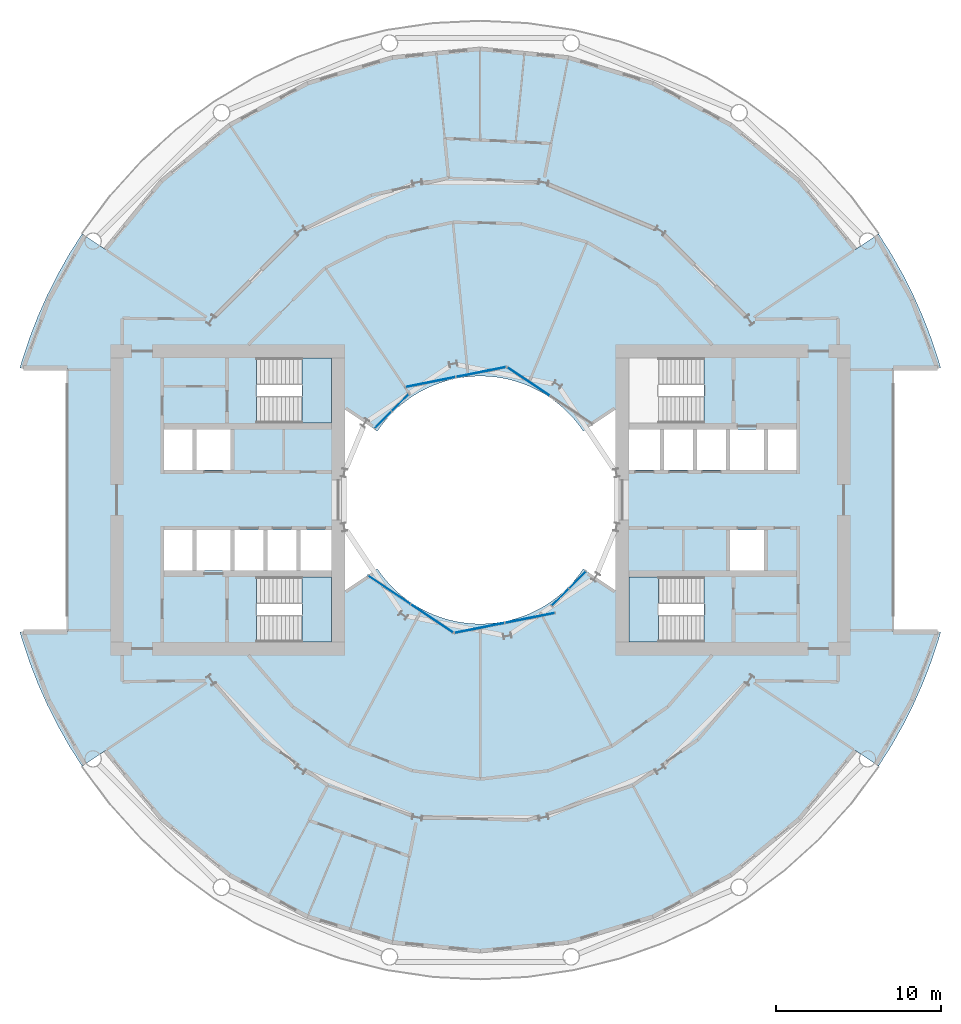
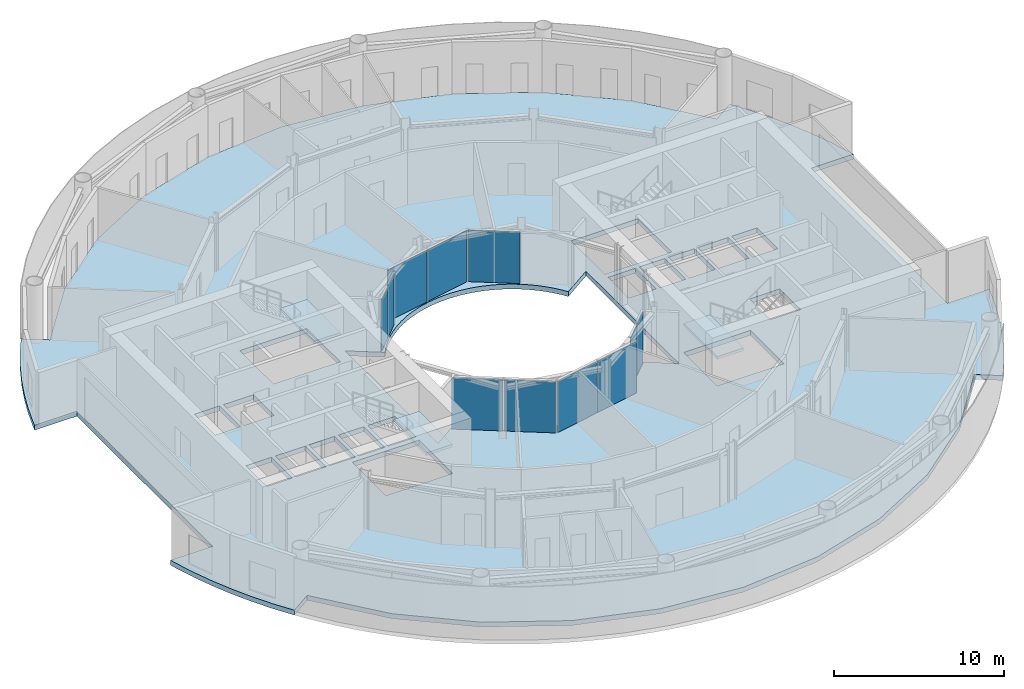
# One storey, part 9 of 19: 11 plates, 4 slabs, 9 elements without a shape of their own.
"""IFC4 building model written with IfcOpenShell, lengths in metres."""

from ifc_helpers import new_model, si_unit, direction, frame, origin, origin_2d, place, context, subcontext, project, spatial, polyline, rectangle, outline, extrude, material, layer, layer_set, type_object, element, aggregate, save


model = new_model("IFC4")

# Units and contexts
model_context = context("Model", 3, precision=1e-05, world=origin(), true_north=direction((0.0, 1.0)))
body_context = subcontext(model_context, "Body", "Model", "MODEL_VIEW")
ifc_project = project(units=[si_unit("LENGTHUNIT", "METRE"), si_unit("AREAUNIT", "SQUARE_METRE"), si_unit("VOLUMEUNIT", "CUBIC_METRE"), si_unit("PLANEANGLEUNIT", "RADIAN"), si_unit("MASSUNIT", "GRAM", prefix="KILO")], contexts=[model_context])

# Site, building, storey
site_placement = place(None, origin())
site = spatial("IfcSite", under=ifc_project, at=site_placement, CompositionType="ELEMENT")
building_placement = place(site_placement, origin())
building = spatial("IfcBuilding", under=site, at=building_placement, Name="Maasbend Ring Residences", CompositionType="ELEMENT")
storey_placement = place(building_placement, frame((0.0, 0.0, 53.300048828125)))
storey = spatial("IfcBuildingStorey", under=building, at=storey_placement, Name="L15", CompositionType="ELEMENT", Elevation=53.300048828125)

# Stair, slab
ifc_material_1 = material(Name="Concrete C40/50", Category="concrete")
stair_type = type_object("IfcStairType", Name="CORE STAIR 24 RISERS", PredefinedType="HALF_TURN_STAIR", material=ifc_material_1)
stair_1_placement = place(storey_placement, origin())
stair_1 = element("IfcStair", 1, at=stair_1_placement, inside=storey, type_object=stair_type, Name="L15 Exit stair ST-E2", PredefinedType="HALF_TURN_STAIR")
ifc_material_2 = material(Name="Concrete C40/50", Category="concrete")
ifc_layer_1 = layer(ifc_material_2, 0.199951171875)
ifc_layer_set_1 = layer_set([ifc_layer_1], Name="Concrete C40/50")
slab_type_1 = type_object("IfcSlabType", Name="CORE STAIR LANDING 200", PredefinedType="LANDING", material=ifc_layer_set_1)
slab_1_placement = place(storey_placement, frame((0.0, 0.0, 1.89990234375)))
slab_1 = element("IfcSlab", 2, at=slab_1_placement, type_object=slab_type_1, Name="ST-E2 landing 1", PredefinedType="LANDING", context=body_context, shape_type="SweptSolid", body=[
    extrude(outline(polyline([(10.800048828125, -4.64990234375), (9.0, -4.64990234375), (9.0, -8.60009765625), (10.800048828125, -8.60009765625), (10.800048828125, -4.64990234375)])), origin(), (0.0, 0.0, 1.0), 0.199951171875),
])
aggregate(stair_1, [slab_1])

stair_2_placement = place(storey_placement, origin())
stair_2 = element("IfcStair", 3, at=stair_2_placement, inside=storey, type_object=stair_type, Name="L15 Exit stair ST-W1", PredefinedType="HALF_TURN_STAIR")
slab_2_placement = place(storey_placement, frame((0.0, 0.0, 1.89990234375)))
slab_2 = element("IfcSlab", 4, at=slab_2_placement, type_object=slab_type_1, Name="ST-W1 landing 1", PredefinedType="LANDING", context=body_context, shape_type="SweptSolid", body=[
    extrude(outline(polyline([(-10.800048828125, -8.60009765625), (-9.0, -8.60009765625), (-9.0, -4.64990234375), (-10.800048828125, -4.64990234375), (-10.800048828125, -8.60009765625)])), origin(), (0.0, 0.0, 1.0), 0.199951171875),
])
aggregate(stair_2, [slab_2])

stair_3_placement = place(storey_placement, origin())
stair_3 = element("IfcStair", 5, at=stair_3_placement, inside=storey, type_object=stair_type, Name="L15 Exit stair ST-W2", PredefinedType="HALF_TURN_STAIR")
slab_3_placement = place(storey_placement, frame((0.0, 0.0, 1.89990234375)))
slab_3 = element("IfcSlab", 6, at=slab_3_placement, type_object=slab_type_1, Name="ST-W2 landing 1", PredefinedType="LANDING", context=body_context, shape_type="SweptSolid", body=[
    extrude(outline(polyline([(-10.800048828125, 4.64990234375), (-9.0, 4.64990234375), (-9.0, 8.60009765625), (-10.800048828125, 8.60009765625), (-10.800048828125, 4.64990234375)])), origin(), (0.0, 0.0, 1.0), 0.199951171875),
])
aggregate(stair_3, [slab_3])

# Curtain wall, plate
ifc_material_3 = material(Name="Aluminium and clear glass", Category="aluminium")
ifc_layer_2 = layer(ifc_material_3, 0.179931640625)
ifc_layer_set_2 = layer_set([ifc_layer_2], Name="CW-W")
curtain_wall_type = type_object("IfcCurtainWallType", Name="CW-W", PredefinedType="NOTDEFINED", material=ifc_layer_set_2)
curtain_wall_1_placement = place(storey_placement, origin())
curtain_wall_1 = element("IfcCurtainWall", 7, at=curtain_wall_1_placement, inside=storey, type_object=curtain_wall_type, Name="Well curtain wall N1", PredefinedType="NOTDEFINED")
ifc_material_4 = material(Name="Glass clear laminated", Category="glass")
ifc_layer_3 = layer(ifc_material_4, 0.031982421875)
ifc_layer_set_3 = layer_set([ifc_layer_3], Name="CWP-W")
plate_type = type_object("IfcPlateType", Name="CWP-W", PredefinedType="CURTAIN_PANEL", material=ifc_layer_set_3)
plate_1_placement = place(storey_placement, frame((2.922119140625, 7.17578125, 0.0), z_axis=(0.0, 0.0, 1.0), x_axis=(-0.831469612303, 0.55557023302, 0.0)))
plate_1 = element("IfcPlate", 8, at=plate_1_placement, type_object=plate_type, Name="Glass panel well face", PredefinedType="CURTAIN_PANEL", context=body_context, shape_type="SweptSolid", body=[
    extrude(rectangle(XDim=3.053955078125, YDim=0.031982421875, at=origin_2d()), origin(), (0.0, 0.0, 1.0), 3.679931640625),
])
aggregate(curtain_wall_1, [plate_1])

# Curtain wall, plates
curtain_wall_2_placement = place(storey_placement, origin())
curtain_wall_2 = element("IfcCurtainWall", 9, at=curtain_wall_2_placement, inside=storey, type_object=curtain_wall_type, Name="Well curtain wall N2", PredefinedType="NOTDEFINED")
plate_2_placement = place(storey_placement, frame((0.04638671875, 7.747802734375, 0.0), z_axis=(0.0, 0.0, 1.0), x_axis=(-0.980785280403, -0.195090322016, 0.0)))
plate_2 = element("IfcPlate", 10, at=plate_2_placement, type_object=plate_type, Name="Glass panel well face", PredefinedType="CURTAIN_PANEL", context=body_context, shape_type="SweptSolid", body=[
    extrude(rectangle(XDim=3.053955078125, YDim=0.031982421875, at=origin_2d()), origin(), (0.0, 0.0, 1.0), 3.679931640625),
])
plate_3_placement = place(storey_placement, frame((-3.0078125, 7.140380859375, 0.0), z_axis=(0.0, 0.0, 1.0), x_axis=(-0.980785280403, -0.195090322016, 0.0)))
plate_3 = element("IfcPlate", 11, at=plate_3_placement, type_object=plate_type, Name="Glass panel well face", PredefinedType="CURTAIN_PANEL", context=body_context, shape_type="SweptSolid", body=[
    extrude(rectangle(XDim=3.053955078125, YDim=0.031982421875, at=origin_2d()), origin(), (0.0, 0.0, 1.0), 3.679931640625),
])
aggregate(curtain_wall_2, [plate_2, plate_3])

curtain_wall_3_placement = place(storey_placement, origin())
curtain_wall_3 = element("IfcCurtainWall", 12, at=curtain_wall_3_placement, inside=storey, type_object=curtain_wall_type, Name="Well curtain wall N3", PredefinedType="NOTDEFINED")
plate_4_placement = place(storey_placement, frame((-4.84375, 5.89013671875, 0.0), z_axis=(0.0, 0.0, 1.0), x_axis=(-0.707106781187, -0.707106781187, 0.0)))
plate_4 = element("IfcPlate", 13, at=plate_4_placement, type_object=plate_type, Name="Glass panel well face", PredefinedType="CURTAIN_PANEL", context=body_context, shape_type="SweptSolid", body=[
    extrude(rectangle(XDim=1.419677734375, YDim=0.031982421875, at=origin_2d()), origin(), (0.0, 0.0, 1.0), 3.679931640625),
])
plate_5_placement = place(storey_placement, frame((-5.89013671875, 4.84375, 0.0), z_axis=(0.0, 0.0, 1.0), x_axis=(-0.707106781187, -0.707106781187, 0.0)))
plate_5 = element("IfcPlate", 14, at=plate_5_placement, type_object=plate_type, Name="Glass panel well face", PredefinedType="CURTAIN_PANEL", context=body_context, shape_type="SweptSolid", body=[
    extrude(rectangle(XDim=1.419677734375, YDim=0.031982421875, at=origin_2d()), origin(), (0.0, 0.0, 1.0), 3.679931640625),
])
aggregate(curtain_wall_3, [plate_4, plate_5])

curtain_wall_4_placement = place(storey_placement, origin())
curtain_wall_4 = element("IfcCurtainWall", 15, at=curtain_wall_4_placement, inside=storey, type_object=curtain_wall_type, Name="Well curtain wall S1", PredefinedType="NOTDEFINED")
plate_6_placement = place(storey_placement, frame((-5.51123046875, -5.44580078125, 0.0), z_axis=(0.0, 0.0, 1.0), x_axis=(0.831469612303, -0.55557023302, 0.0)))
plate_6 = element("IfcPlate", 16, at=plate_6_placement, type_object=plate_type, Name="Glass panel well face", PredefinedType="CURTAIN_PANEL", context=body_context, shape_type="SweptSolid", body=[
    extrude(rectangle(XDim=3.053955078125, YDim=0.031982421875, at=origin_2d()), origin(), (0.0, 0.0, 1.0), 3.679931640625),
])
plate_7_placement = place(storey_placement, frame((-2.922119140625, -7.17578125, 0.0), z_axis=(0.0, 0.0, 1.0), x_axis=(0.831469612303, -0.55557023302, 0.0)))
plate_7 = element("IfcPlate", 17, at=plate_7_placement, type_object=plate_type, Name="Glass panel well face", PredefinedType="CURTAIN_PANEL", context=body_context, shape_type="SweptSolid", body=[
    extrude(rectangle(XDim=3.053955078125, YDim=0.031982421875, at=origin_2d()), origin(), (0.0, 0.0, 1.0), 3.679931640625),
])
aggregate(curtain_wall_4, [plate_6, plate_7])

curtain_wall_5_placement = place(storey_placement, origin())
curtain_wall_5 = element("IfcCurtainWall", 18, at=curtain_wall_5_placement, inside=storey, type_object=curtain_wall_type, Name="Well curtain wall S2", PredefinedType="NOTDEFINED")
plate_8_placement = place(storey_placement, frame((-0.04638671875, -7.747802734375, 0.0), z_axis=(0.0, 0.0, 1.0), x_axis=(0.980785280403, 0.195090322016, 0.0)))
plate_8 = element("IfcPlate", 19, at=plate_8_placement, type_object=plate_type, Name="Glass panel well face", PredefinedType="CURTAIN_PANEL", context=body_context, shape_type="SweptSolid", body=[
    extrude(rectangle(XDim=3.053955078125, YDim=0.031982421875, at=origin_2d()), origin(), (0.0, 0.0, 1.0), 3.679931640625),
])
plate_9_placement = place(storey_placement, frame((3.0078125, -7.140380859375, 0.0), z_axis=(0.0, 0.0, 1.0), x_axis=(0.980785280403, 0.195090322016, 0.0)))
plate_9 = element("IfcPlate", 20, at=plate_9_placement, type_object=plate_type, Name="Glass panel well face", PredefinedType="CURTAIN_PANEL", context=body_context, shape_type="SweptSolid", body=[
    extrude(rectangle(XDim=3.053955078125, YDim=0.031982421875, at=origin_2d()), origin(), (0.0, 0.0, 1.0), 3.679931640625),
])
aggregate(curtain_wall_5, [plate_8, plate_9])

curtain_wall_6_placement = place(storey_placement, origin())
curtain_wall_6 = element("IfcCurtainWall", 21, at=curtain_wall_6_placement, inside=storey, type_object=curtain_wall_type, Name="Well curtain wall S3", PredefinedType="NOTDEFINED")
plate_10_placement = place(storey_placement, frame((4.84375, -5.89013671875, 0.0), z_axis=(0.0, 0.0, 1.0), x_axis=(0.707106781187, 0.707106781187, 0.0)))
plate_10 = element("IfcPlate", 22, at=plate_10_placement, type_object=plate_type, Name="Glass panel well face", PredefinedType="CURTAIN_PANEL", context=body_context, shape_type="SweptSolid", body=[
    extrude(rectangle(XDim=1.419677734375, YDim=0.031982421875, at=origin_2d()), origin(), (0.0, 0.0, 1.0), 3.679931640625),
])
plate_11_placement = place(storey_placement, frame((5.89013671875, -4.84375, 0.0), z_axis=(0.0, 0.0, 1.0), x_axis=(0.707106781187, 0.707106781187, 0.0)))
plate_11 = element("IfcPlate", 23, at=plate_11_placement, type_object=plate_type, Name="Glass panel well face", PredefinedType="CURTAIN_PANEL", context=body_context, shape_type="SweptSolid", body=[
    extrude(rectangle(XDim=1.419677734375, YDim=0.031982421875, at=origin_2d()), origin(), (0.0, 0.0, 1.0), 3.679931640625),
])
aggregate(curtain_wall_6, [plate_10, plate_11])

# Slab
ifc_material_5 = material(Name="Concrete C40/50", Category="concrete")
ifc_layer_4 = layer(ifc_material_5, 0.35009765625)
ifc_layer_set_4 = layer_set([ifc_layer_4], Name="Concrete C40/50")
slab_type_2 = type_object("IfcSlabType", Name="Post-tensioned flat plate 350", PredefinedType="FLOOR", material=ifc_layer_set_4)
slab_4_placement = place(storey_placement, frame((0.0, 0.0, -0.35009765625)))
element("IfcSlab", 24, at=slab_4_placement, inside=storey, type_object=slab_type_2, Name="Floor slab L15", PredefinedType="FLOOR", context=body_context, shape_type="SweptSolid", body=[
    extrude(outline(polyline([(24.8740234375, -14.908935546875), (25.57568359375, -13.67041015625), (26.2158203125, -12.399169921875), (26.79248046875, -11.097900390625), (27.3046875, -9.769775390625), (27.751220703125, -8.418212890625), (27.866943359375, -8.0), (25.0, -8.0), (25.0, 8.0), (27.866943359375, 8.0), (27.751220703125, 8.418212890625), (27.3046875, 9.769775390625), (26.79248046875, 11.097900390625), (26.2158203125, 12.399169921875), (25.57568359375, 13.67041015625), (24.8740234375, 14.908935546875), (24.112548828125, 16.111572265625), (22.69921875, 15.1669921875), (19.303955078125, 19.303955078125), (15.1669921875, 22.69921875), (10.447265625, 25.221923828125), (5.325927734375, 26.775390625), (0.0, 27.300048828125), (-5.325927734375, 26.775390625), (-10.447265625, 25.221923828125), (-15.1669921875, 22.69921875), (-19.303955078125, 19.303955078125), (-22.69921875, 15.1669921875), (-24.112548828125, 16.111572265625), (-24.8740234375, 14.908935546875), (-25.57568359375, 13.67041015625), (-26.2158203125, 12.399169921875), (-26.79248046875, 11.097900390625), (-27.3046875, 9.769775390625), (-27.751220703125, 8.418212890625), (-27.866943359375, 8.0), (-25.0, 8.0), (-25.0, -8.0), (-27.866943359375, -8.0), (-27.751220703125, -8.418212890625), (-27.3046875, -9.769775390625), (-26.79248046875, -11.097900390625), (-26.2158203125, -12.399169921875), (-25.57568359375, -13.67041015625), (-24.8740234375, -14.908935546875), (-24.112548828125, -16.111572265625), (-22.69921875, -15.1669921875), (-19.303955078125, -19.303955078125), (-15.1669921875, -22.69921875), (-10.447265625, -25.221923828125), (-5.325927734375, -26.775390625), (0.0, -27.300048828125), (5.325927734375, -26.775390625), (10.447265625, -25.221923828125), (15.1669921875, -22.69921875), (19.303955078125, -19.303955078125), (22.69921875, -15.1669921875), (24.112548828125, -16.111572265625), (24.8740234375, -14.908935546875)]), holes=[polyline([(17.425048828125, 4.27490234375), (19.14990234375, 4.27490234375), (19.14990234375, 1.824951171875), (17.425048828125, 1.824951171875), (17.425048828125, 4.27490234375)]), polyline([(15.125, 1.824951171875), (15.125, 4.27490234375), (17.175048828125, 4.27490234375), (17.175048828125, 1.824951171875), (15.125, 1.824951171875)]), polyline([(15.125, -4.27490234375), (15.125, -1.824951171875), (17.175048828125, -1.824951171875), (17.175048828125, -4.27490234375), (15.125, -4.27490234375)]), polyline([(13.125, 1.824951171875), (13.125, 4.27490234375), (14.875, 4.27490234375), (14.875, 1.824951171875), (13.125, 1.824951171875)]), polyline([(13.550048828125, 4.64990234375), (9.0, 4.64990234375), (9.0, 8.60009765625), (13.550048828125, 8.60009765625), (13.550048828125, 4.64990234375)]), polyline([(13.550048828125, -4.64990234375), (13.550048828125, -8.60009765625), (9.0, -8.60009765625), (9.0, -4.64990234375), (13.550048828125, -4.64990234375)]), polyline([(11.125, 1.824951171875), (11.125, 4.27490234375), (12.875, 4.27490234375), (12.875, 1.824951171875), (11.125, 1.824951171875)]), polyline([(9.0, 1.824951171875), (9.0, 4.27490234375), (10.875, 4.27490234375), (10.875, 1.824951171875), (9.0, 1.824951171875)]), polyline([(6.024169921875, 4.4677734375), (6.236083984375, 4.166748046875), (8.199951171875, 5.47900390625), (8.199951171875, -5.47900390625), (6.236083984375, -4.166748046875), (6.024169921875, -4.4677734375), (5.797607421875, -4.7578125), (5.55712890625, -5.03662109375), (5.30322265625, -5.30322265625), (5.03662109375, -5.55712890625), (4.7578125, -5.797607421875), (4.4677734375, -6.024169921875), (4.166748046875, -6.236083984375), (3.855712890625, -6.43310546875), (3.535400390625, -6.614501953125), (3.206787109375, -6.77978515625), (2.8701171875, -6.92919921875), (2.526611328125, -7.0615234375), (2.177001953125, -7.177001953125), (1.822509765625, -7.275146484375), (1.463134765625, -7.35595703125), (1.1005859375, -7.418701171875), (0.735107421875, -7.4638671875), (0.367919921875, -7.490966796875), (0.0, -7.5), (-0.367919921875, -7.490966796875), (-0.735107421875, -7.4638671875), (-1.1005859375, -7.418701171875), (-1.463134765625, -7.35595703125), (-1.822509765625, -7.275146484375), (-2.177001953125, -7.177001953125), (-2.526611328125, -7.0615234375), (-2.8701171875, -6.92919921875), (-3.206787109375, -6.77978515625), (-3.535400390625, -6.614501953125), (-3.855712890625, -6.43310546875), (-4.166748046875, -6.236083984375), (-4.4677734375, -6.024169921875), (-4.7578125, -5.797607421875), (-5.03662109375, -5.55712890625), (-5.30322265625, -5.30322265625), (-5.55712890625, -5.03662109375), (-5.797607421875, -4.7578125), (-6.024169921875, -4.4677734375), (-6.236083984375, -4.166748046875), (-8.199951171875, -5.47900390625), (-8.199951171875, 5.47900390625), (-6.236083984375, 4.166748046875), (-6.236083984375, 4.166748046875), (-6.024169921875, 4.4677734375), (-5.797607421875, 4.7578125), (-5.55712890625, 5.03662109375), (-5.30322265625, 5.30322265625), (-5.03662109375, 5.55712890625), (-4.7578125, 5.797607421875), (-4.4677734375, 6.024169921875), (-4.166748046875, 6.236083984375), (-3.855712890625, 6.43310546875), (-3.535400390625, 6.614501953125), (-3.206787109375, 6.77978515625), (-2.8701171875, 6.92919921875), (-2.526611328125, 7.0615234375), (-2.177001953125, 7.177001953125), (-1.822509765625, 7.275146484375), (-1.463134765625, 7.35595703125), (-1.1005859375, 7.418701171875), (-0.735107421875, 7.4638671875), (-0.367919921875, 7.490966796875), (0.0, 7.5), (0.367919921875, 7.490966796875), (0.735107421875, 7.4638671875), (1.1005859375, 7.418701171875), (1.463134765625, 7.35595703125), (1.822509765625, 7.275146484375), (2.177001953125, 7.177001953125), (2.526611328125, 7.0615234375), (2.8701171875, 6.92919921875), (3.206787109375, 6.77978515625), (3.535400390625, 6.614501953125), (3.855712890625, 6.43310546875), (4.166748046875, 6.236083984375), (4.4677734375, 6.024169921875), (4.7578125, 5.797607421875), (5.03662109375, 5.55712890625), (5.30322265625, 5.30322265625), (5.55712890625, 5.03662109375), (5.797607421875, 4.7578125), (6.024169921875, 4.4677734375)]), polyline([(-13.550048828125, 4.64990234375), (-13.550048828125, 8.60009765625), (-9.0, 8.60009765625), (-9.0, 4.64990234375), (-13.550048828125, 4.64990234375)]), polyline([(-13.550048828125, -8.60009765625), (-13.550048828125, -4.64990234375), (-9.0, -4.64990234375), (-9.0, -8.60009765625), (-13.550048828125, -8.60009765625)]), polyline([(-9.0, -1.824951171875), (-9.0, -4.27490234375), (-10.875, -4.27490234375), (-10.875, -1.824951171875), (-9.0, -1.824951171875)]), polyline([(-11.125, -1.824951171875), (-11.125, -4.27490234375), (-12.875, -4.27490234375), (-12.875, -1.824951171875), (-11.125, -1.824951171875)]), polyline([(-13.125, -1.824951171875), (-13.125, -4.27490234375), (-14.875, -4.27490234375), (-14.875, -1.824951171875), (-13.125, -1.824951171875)]), polyline([(-15.125, 4.27490234375), (-15.125, 1.824951171875), (-17.175048828125, 1.824951171875), (-17.175048828125, 4.27490234375), (-15.125, 4.27490234375)]), polyline([(-15.125, -1.824951171875), (-15.125, -4.27490234375), (-17.175048828125, -4.27490234375), (-17.175048828125, -1.824951171875), (-15.125, -1.824951171875)]), polyline([(-17.425048828125, -1.824951171875), (-17.425048828125, -4.27490234375), (-19.14990234375, -4.27490234375), (-19.14990234375, -1.824951171875), (-17.425048828125, -1.824951171875)]), polyline([(-17.425048828125, 4.27490234375), (-17.425048828125, 1.824951171875), (-19.14990234375, 1.824951171875), (-19.14990234375, 4.27490234375), (-17.425048828125, 4.27490234375)])]), origin(), (0.0, 0.0, 1.0), 0.35009765625),
])

save(model, "model.ifc")
